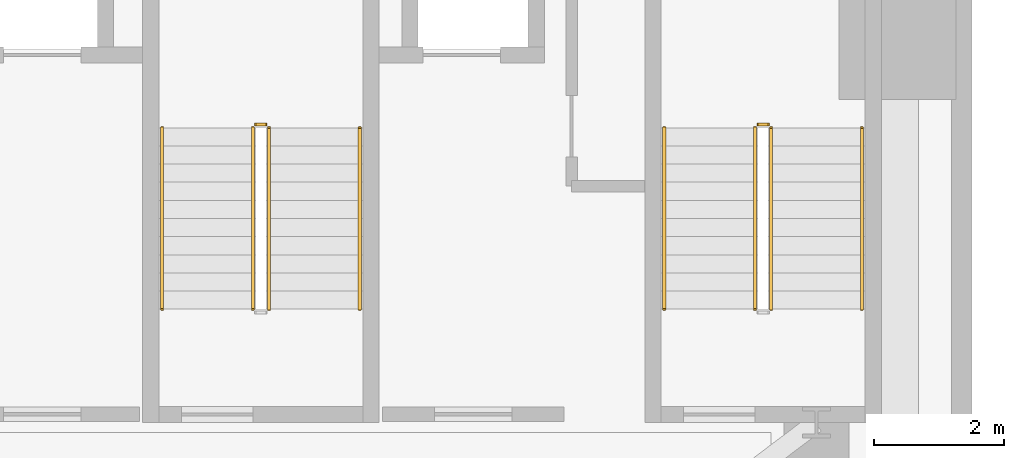
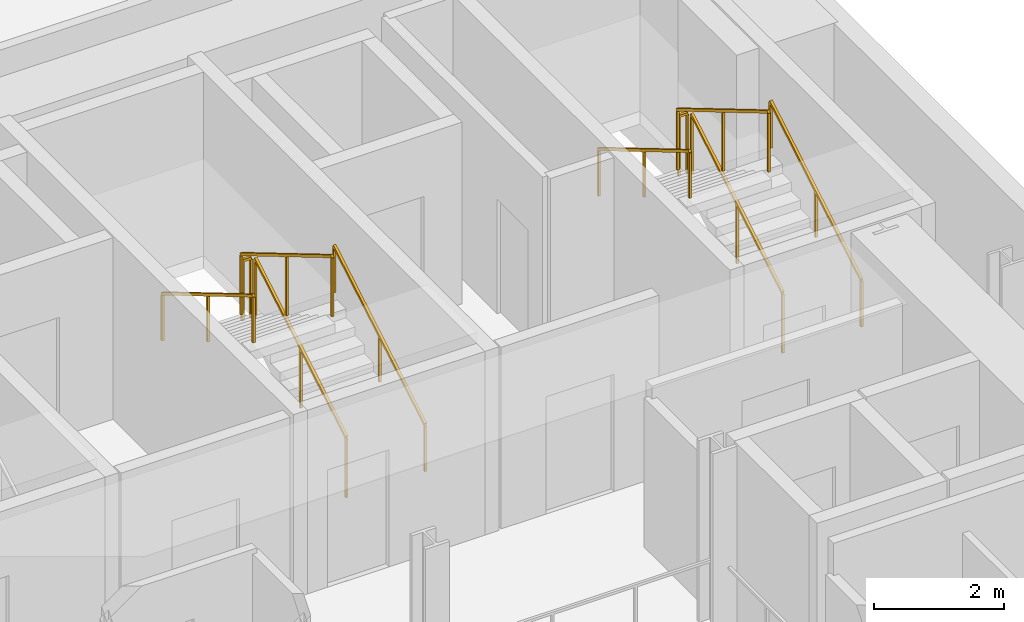
# One storey, part 13 of 13: 10 railings.
"""IFC4 building model written with IfcOpenShell, lengths in metres."""

from ifc_helpers import new_model, si_unit, direction, frame, origin, origin_2d, place, context, subcontext, project, spatial, rectangle, extrude, source, transform, mapped, material, type_object, element, save


model = new_model("IFC4")

# Units and contexts
model_context = context("Model", 3, precision=1e-05, world=origin(), true_north=direction((0.0, 1.0)))
body_context = subcontext(model_context, "Body", "Model", "MODEL_VIEW")
ifc_project = project(units=[si_unit("LENGTHUNIT", "METRE"), si_unit("AREAUNIT", "SQUARE_METRE"), si_unit("VOLUMEUNIT", "CUBIC_METRE"), si_unit("PLANEANGLEUNIT", "RADIAN"), si_unit("MASSUNIT", "GRAM", prefix="KILO")], contexts=[model_context])

# Site, building, storey
site_placement = place(None, origin())
site = spatial("IfcSite", under=ifc_project, at=site_placement, CompositionType="ELEMENT")
building_placement = place(site_placement, origin())
building = spatial("IfcBuilding", under=site, at=building_placement, Name="Vardaveli Station Tower", CompositionType="ELEMENT")
storey_placement = place(building_placement, frame((0.0, 0.0, 75.050048828125)))
storey = spatial("IfcBuildingStorey", under=building, at=storey_placement, Name="L19", CompositionType="ELEMENT", Elevation=75.050048828125)

# Railings
ifc_material = material(Name="Brushed AISI 316 stainless steel", Category="steel")
railing_type_1 = type_object("IfcRailingType", Name="RL-GUARD-1150", PredefinedType="GUARDRAIL", material=ifc_material)
shared_shape_1 = source(origin(), body_context, "Body", "SweptSolid", [
    extrude(rectangle(XDim=0.048095703125, YDim=0.048095703125, at=origin_2d()), frame((0.0, 0.0, 1.1259765625), z_axis=(-1.0, 0.0, 0.0), x_axis=(0.0, -1.0, 0.0)), (0.0, 0.0, 1.0), 0.14990234375),
    extrude(rectangle(XDim=0.0419921875, YDim=0.0419921875, at=origin_2d()), origin(), (0.0, 0.0, 1.0), 1.101806640625),
    extrude(rectangle(XDim=0.0419921875, YDim=0.0419921875, at=origin_2d()), frame((-0.14990234375, 0.0, 0.0)), (0.0, 0.0, 1.0), 1.101806640625),
])
for number, where, name in (
    (1, (38.0, 35.25, 1.824951171875), "L19 ST-2 stair guard 2"),
    (2, (45.75, 35.25, 1.824951171875), "L19 ST-3 stair guard 2"),
):
    element("IfcRailing", number, at=place(storey_placement, frame(where)), inside=storey, type_object=railing_type_1, Name=name, PredefinedType="GUARDRAIL", context=body_context, shape_type="MappedRepresentation", body=[
        mapped(shared_shape_1, transform((0.0, 0.0, 0.0), scale=1.0)),
    ])
shared_shape_2 = source(origin(), body_context, "Body", "SweptSolid", [
    extrude(rectangle(XDim=0.048095703125, YDim=0.048095703125, at=origin_2d()), frame((0.0, 0.0, 1.1259765625), z_axis=(0.0, 0.860306154799, 0.50977771628), x_axis=(-1.0, 0.0, 0.0)), (0.0, 0.0, 1.0), 3.254638671875),
    extrude(rectangle(XDim=0.0419921875, YDim=0.0419921875, at=origin_2d()), origin(), (0.0, 0.0, 1.0), 1.101806640625),
    extrude(rectangle(XDim=0.0419921875, YDim=0.0419921875, at=origin_2d()), frame((0.0, 1.39990234375, 0.82958984375)), (0.0, 0.0, 1.0), 1.101806640625),
    extrude(rectangle(XDim=0.0419921875, YDim=0.0419921875, at=origin_2d()), frame((0.0, 2.800048828125, 1.6591796875)), (0.0, 0.0, 1.0), 1.101806640625),
])
for number, where, name in (
    (3, (38.050048828125, 32.39990234375, 0.165771484375), "L19 ST-2 stair guard 1"),
    (4, (45.800048828125, 32.39990234375, 0.165771484375), "L19 ST-3 stair guard 1"),
):
    element("IfcRailing", number, at=place(storey_placement, frame(where)), inside=storey, type_object=railing_type_1, Name=name, PredefinedType="GUARDRAIL", context=body_context, shape_type="MappedRepresentation", body=[
        mapped(shared_shape_2, transform((0.0, 0.0, 0.0), scale=1.0)),
    ])
railing_type_2 = type_object("IfcRailingType", Name="RL-HAND-900", PredefinedType="HANDRAIL", material=ifc_material)
shared_shape_3 = source(origin(), body_context, "Body", "SweptSolid", [
    extrude(rectangle(XDim=0.048095703125, YDim=0.048095703125, at=origin_2d()), frame((0.0, 0.0, 0.8759765625), z_axis=(0.0, 0.860306154799, 0.50977771628), x_axis=(-1.0, 0.0, 0.0)), (0.0, 0.0, 1.0), 3.254638671875),
    extrude(rectangle(XDim=0.0419921875, YDim=0.0419921875, at=origin_2d()), origin(), (0.0, 0.0, 1.0), 0.851806640625),
    extrude(rectangle(XDim=0.0419921875, YDim=0.0419921875, at=origin_2d()), frame((0.0, 1.39990234375, 0.82958984375)), (0.0, 0.0, 1.0), 0.851806640625),
    extrude(rectangle(XDim=0.0419921875, YDim=0.0419921875, at=origin_2d()), frame((0.0, 2.800048828125, 1.6591796875)), (0.0, 0.0, 1.0), 0.851806640625),
])
for number, where, name in (
    (5, (39.449951171875, 32.39990234375, 0.165771484375), "L19 ST-2 stair handrail 1"),
    (6, (47.199951171875, 32.39990234375, 0.165771484375), "L19 ST-3 stair handrail 1"),
):
    element("IfcRailing", number, at=place(storey_placement, frame(where)), inside=storey, type_object=railing_type_2, Name=name, PredefinedType="HANDRAIL", context=body_context, shape_type="MappedRepresentation", body=[
        mapped(shared_shape_3, transform((0.0, 0.0, 0.0), scale=1.0)),
    ])
shared_shape_4 = source(origin(), body_context, "Body", "SweptSolid", [
    extrude(rectangle(XDim=0.048095703125, YDim=0.048095703125, at=origin_2d()), frame((0.0, 0.0, 1.1259765625), z_axis=(0.0, -0.860339051648, 0.50972219513), x_axis=(1.0, 0.0, 0.0)), (0.0, 0.0, 1.0), 3.254638671875),
    extrude(rectangle(XDim=0.0419921875, YDim=0.0419921875, at=origin_2d()), origin(), (0.0, 0.0, 1.0), 1.101806640625),
    extrude(rectangle(XDim=0.0419921875, YDim=0.0419921875, at=origin_2d()), frame((0.0, -1.39990234375, 0.82958984375)), (0.0, 0.0, 1.0), 1.101806640625),
    extrude(rectangle(XDim=0.0419921875, YDim=0.0419921875, at=origin_2d()), frame((0.0, -2.800048828125, 1.658935546875)), (0.0, 0.0, 1.0), 1.101806640625),
])
for number, where, name in (
    (7, (37.800048828125, 35.199951171875, 1.990966796875), "L19 ST-2 stair guard 3"),
    (8, (45.550048828125, 35.199951171875, 1.990966796875), "L19 ST-3 stair guard 3"),
):
    element("IfcRailing", number, at=place(storey_placement, frame(where)), inside=storey, type_object=railing_type_1, Name=name, PredefinedType="GUARDRAIL", context=body_context, shape_type="MappedRepresentation", body=[
        mapped(shared_shape_4, transform((0.0, 0.0, 0.0), scale=1.0)),
    ])
shared_shape_5 = source(origin(), body_context, "Body", "SweptSolid", [
    extrude(rectangle(XDim=0.048095703125, YDim=0.048095703125, at=origin_2d()), frame((0.0, 0.0, 0.8759765625), z_axis=(0.0, -0.860339051648, 0.50972219513), x_axis=(1.0, 0.0, 0.0)), (0.0, 0.0, 1.0), 3.254638671875),
    extrude(rectangle(XDim=0.0419921875, YDim=0.0419921875, at=origin_2d()), origin(), (0.0, 0.0, 1.0), 0.851806640625),
    extrude(rectangle(XDim=0.0419921875, YDim=0.0419921875, at=origin_2d()), frame((0.0, -1.39990234375, 0.82958984375)), (0.0, 0.0, 1.0), 0.851806640625),
    extrude(rectangle(XDim=0.0419921875, YDim=0.0419921875, at=origin_2d()), frame((0.0, -2.800048828125, 1.658935546875)), (0.0, 0.0, 1.0), 0.851806640625),
])
for number, where, name in (
    (9, (36.39990234375, 35.199951171875, 1.990966796875), "L19 ST-2 stair handrail 2"),
    (10, (44.14990234375, 35.199951171875, 1.990966796875), "L19 ST-3 stair handrail 2"),
):
    element("IfcRailing", number, at=place(storey_placement, frame(where)), inside=storey, type_object=railing_type_2, Name=name, PredefinedType="HANDRAIL", context=body_context, shape_type="MappedRepresentation", body=[
        mapped(shared_shape_5, transform((0.0, 0.0, 0.0), scale=1.0)),
    ])

save(model, "model.ifc")
